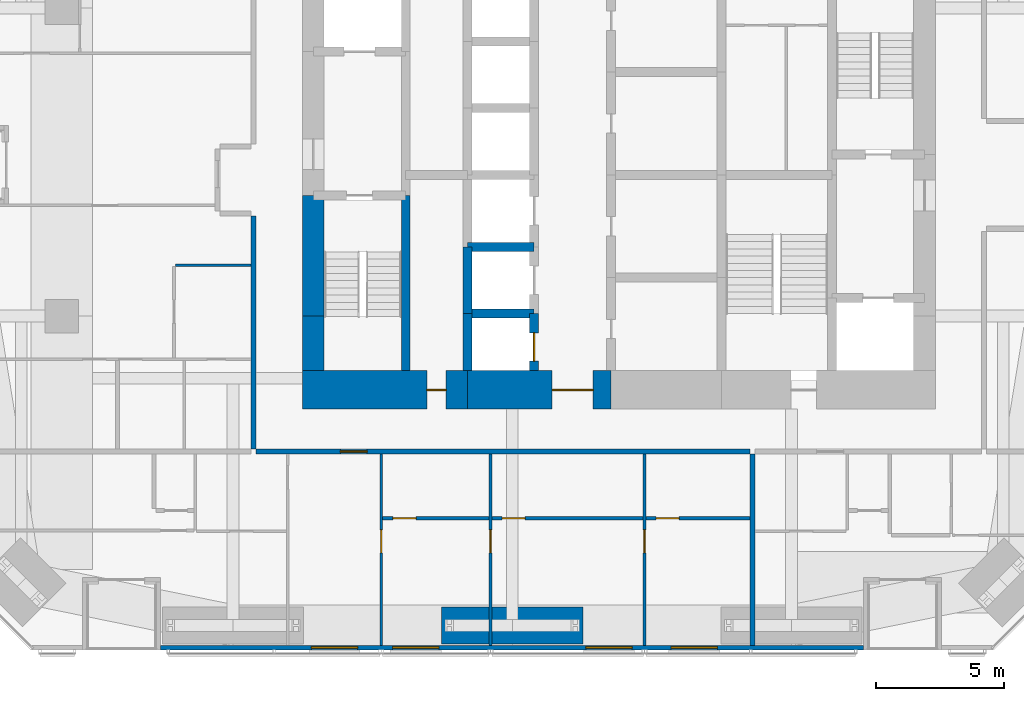
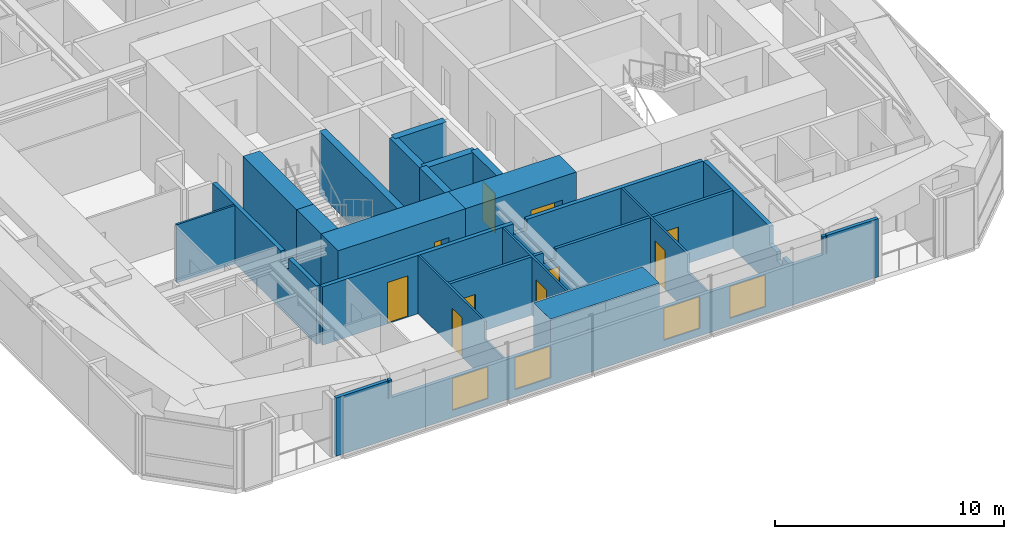
# One storey, part 17 of 23: 22 walls, 10 doors, 4 windows, 14 openings.
"""IFC4 building model written with IfcOpenShell, lengths in metres."""

import ifcopenshell
import ifcopenshell.guid

model = None  # the IFC model being written
_history = None  # IfcOwnerHistory: only IFC2X3 demands one
_inside = {}  # id of a spatial element -> (the spatial element, [elements in it])
_under = {}  # id of a project, library or spatial element -> (it, [spatial elements below it])
_declared = {}  # id of a project -> (the project, [libraries it declares])
_typed = {}  # id of a type object -> (the type object, [elements of that type])
_made_of = {}  # id of a material, layer set ... -> (it, [elements and type objects made of it])


def new_model(schema):
    """Start an empty IFC model of exactly this schema.

    Asked for "IFC4X3", IfcOpenShell would pick the latest addendum, in which some entities
    have other attributes; the version numbers below select the first issue.
    IFC2X3 requires an IfcOwnerHistory on every rooted entity: one is made here for all.
    """
    global model, _history
    if schema == "IFC4X3":
        model = ifcopenshell.file(schema_version=(4, 3, 0, 0))
    else:
        model = ifcopenshell.file(schema=schema)
    _inside.clear()
    _under.clear()
    _declared.clear()
    _typed.clear()
    _made_of.clear()
    _history = None
    if model.schema == "IFC2X3":
        org = make("IfcOrganization", Name="unknown")
        user = make(
            "IfcPersonAndOrganization",
            ThePerson=make("IfcPerson", FamilyName="unknown"),
            TheOrganization=org,
        )
        app = make(
            "IfcApplication",
            ApplicationDeveloper=org,
            Version="unknown",
            ApplicationFullName="unknown",
            ApplicationIdentifier="unknown",
        )
        _history = make(
            "IfcOwnerHistory",
            OwningUser=user,
            OwningApplication=app,
            ChangeAction="ADDED",
            CreationDate=0,
        )
    return model


def make(cls, **values):
    """One entity of the class cls with the attributes given. An attribute that is None is left unset."""
    return model.create_entity(
        cls, **{name: value for name, value in values.items() if value is not None}
    )


def rooted(cls, **values):
    """An entity with a GlobalId (a new one), such as an element, a storey or a relation."""
    return make(cls, GlobalId=ifcopenshell.guid.new(), OwnerHistory=_history, **values)


def si_unit(unit_type, name, prefix=None):
    """IfcSIUnit, for example si_unit("LENGTHUNIT", "METRE", prefix="MILLI")."""
    return make("IfcSIUnit", UnitType=unit_type, Prefix=prefix, Name=name)


def assignment(units):
    """IfcUnitAssignment: the units of a project."""
    return None if units is None else make("IfcUnitAssignment", Units=units)


def point(xyz):
    """IfcCartesianPoint."""
    return None if xyz is None else make("IfcCartesianPoint", Coordinates=xyz)


def direction(xyz):
    """IfcDirection."""
    return None if xyz is None else make("IfcDirection", DirectionRatios=xyz)


def frame(location, z_axis=None, x_axis=None):
    """IfcAxis2Placement3D, a coordinate frame: its origin and axes. An axis left out is left unset."""
    return make(
        "IfcAxis2Placement3D",
        Location=point(location),
        Axis=direction(z_axis),
        RefDirection=direction(x_axis),
    )


def frame_2d(location, x_axis=None):
    """IfcAxis2Placement2D, a coordinate frame in the plane: its origin and x axis."""
    return make(
        "IfcAxis2Placement2D", Location=point(location), RefDirection=direction(x_axis)
    )


def origin():
    """The frame at (0, 0, 0) with its axes left unset."""
    return frame((0.0, 0.0, 0.0))


def place(relative_to, where):
    """IfcLocalPlacement: puts the frame where relative to a parent placement (None: the world)."""
    return make(
        "IfcLocalPlacement", PlacementRelTo=relative_to, RelativePlacement=where
    )


def context(
    kind, dimensions, precision=None, world=None, true_north=None, identifier=None
):
    """IfcGeometricRepresentationContext, for example the 3D "Model" context."""
    return make(
        "IfcGeometricRepresentationContext",
        ContextIdentifier=identifier,
        ContextType=kind,
        CoordinateSpaceDimension=dimensions,
        Precision=precision,
        WorldCoordinateSystem=world,
        TrueNorth=true_north,
    )


def subcontext(parent, identifier, kind, view, scale=None):
    """IfcGeometricRepresentationSubContext, for example "Body" below "Model"."""
    return make(
        "IfcGeometricRepresentationSubContext",
        ContextIdentifier=identifier,
        ContextType=kind,
        ParentContext=parent,
        TargetScale=scale,
        TargetView=view,
    )


def project(units=None, contexts=None):
    """IfcProject with its units and contexts."""
    return rooted(
        "IfcProject",
        Name="project",
        RepresentationContexts=contexts,
        UnitsInContext=assignment(units),
    )


def spatial(cls, under=None, at=None, **own):
    """A site, building, storey or space (cls), placed at a placement, below another one or the project."""
    s = rooted(cls, ObjectPlacement=at, **own)
    if under is not None:
        _under.setdefault(under.id(), (under, []))[1].append(s)
    return s


def polyline(points):
    """IfcPolyline through the points."""
    return make("IfcPolyline", Points=[point(p) for p in points])


def profile(cls, at=None, kind="AREA", **sizes):
    """A parametric profile (cls). Its sizes go by their IFC names, for example OverallWidth=200.0."""
    return make(cls, ProfileType=kind, Position=at, **sizes)


def rectangle(**sizes):
    """IfcRectangleProfileDef."""
    return profile("IfcRectangleProfileDef", **sizes)


def outline(outer, holes=None, kind="AREA"):
    """IfcArbitraryClosedProfileDef: a profile drawn as a closed curve; with holes, ...WithVoids."""
    if holes is None:
        return make("IfcArbitraryClosedProfileDef", ProfileType=kind, OuterCurve=outer)
    return make(
        "IfcArbitraryProfileDefWithVoids",
        ProfileType=kind,
        OuterCurve=outer,
        InnerCurves=holes,
    )


def extrude(swept, where, along, depth):
    """IfcExtrudedAreaSolid: the profile swept, set in the frame where, extruded along a direction by depth."""
    return make(
        "IfcExtrudedAreaSolid",
        SweptArea=swept,
        Position=where,
        ExtrudedDirection=direction(along),
        Depth=depth,
    )


def shape(context_of_items, identifier, shape_type, items):
    """IfcShapeRepresentation: the items that make up one representation, for example the "Body"."""
    return make(
        "IfcShapeRepresentation",
        ContextOfItems=context_of_items,
        RepresentationIdentifier=identifier,
        RepresentationType=shape_type,
        Items=items,
    )


def material(Name=None, Category=None):
    """IfcMaterial."""
    return make("IfcMaterial", Name=Name, Category=Category)


def layer(
    of_material, thickness, ventilated=None, Name=None, Category=None, Priority=None
):
    """IfcMaterialLayer: one layer of a wall or slab, of a material (None: an air gap)."""
    return make(
        "IfcMaterialLayer",
        Material=of_material,
        LayerThickness=thickness,
        IsVentilated=ventilated,
        Name=Name,
        Category=Category,
        Priority=Priority,
    )


def layer_set(layers, Name=None):
    """IfcMaterialLayerSet."""
    return make("IfcMaterialLayerSet", MaterialLayers=layers, LayerSetName=Name)


def constituent(of_material, Name=None, Category=None, fraction=None):
    """IfcMaterialConstituent: one of the materials an element consists of."""
    return make(
        "IfcMaterialConstituent",
        Name=Name,
        Material=of_material,
        Fraction=fraction,
        Category=Category,
    )


def constituent_set(constituents=None, Name=None):
    """IfcMaterialConstituentSet."""
    return make(
        "IfcMaterialConstituentSet", Name=Name, MaterialConstituents=constituents
    )


def made_of(thing, what):
    """Note that an element or type object is made of a material, layer set ...; save() writes the relation."""
    if what is not None:
        _made_of.setdefault(what.id(), (what, []))[1].append(thing)
    return thing


def type_object(cls, material=None, **own):
    """A type object (cls), such as IfcWallType, which elements share."""
    return made_of(rooted(cls, **own), material)


def element(
    cls,
    number,
    at=None,
    inside=None,
    cuts=None,
    type_object=None,
    material=None,
    context=None,
    identifier="Body",
    shape_type=None,
    held_by="IfcProductDefinitionShape",
    body=None,
    shapes=None,
    **own,
):
    """One element of the class cls, such as IfcWall. Its Tag is "e" and its number.

    at: its placement. inside: the storey or other place that contains it. cuts: it is an
    opening in that element (IfcRelVoidsElement). A single representation is given by context,
    identifier, shape_type and body (its items); several are given by shapes. held_by: the class
    of the entity that holds the representations. save() writes the other relations.
    """
    e = rooted(cls, Tag="e%d" % number, ObjectPlacement=at, **own)
    if body is not None:
        shapes = [shape(context, identifier, shape_type, body)]
    if shapes is not None:
        e.Representation = make(held_by, Representations=shapes)
    if inside is not None:
        _inside.setdefault(inside.id(), (inside, []))[1].append(e)
    if cuts is not None:
        rooted(
            "IfcRelVoidsElement", RelatingBuildingElement=cuts, RelatedOpeningElement=e
        )
    if type_object is not None:
        _typed.setdefault(type_object.id(), (type_object, []))[1].append(e)
    return made_of(e, material)


def fill(opening, filler):
    """IfcRelFillsElement: the door or window that sits in an opening."""
    return rooted(
        "IfcRelFillsElement",
        RelatingOpeningElement=opening,
        RelatedBuildingElement=filler,
    )


def aggregate(whole, parts):
    """IfcRelAggregates: a whole, such as a stair, and the parts it consists of."""
    return rooted("IfcRelAggregates", RelatingObject=whole, RelatedObjects=parts)


def save(model, path):
    """Write the relations noted so far, then the file.

    IfcRelAggregates (storeys below a building ...), IfcRelContainedInSpatialStructure (elements
    in a storey), IfcRelDefinesByType, IfcRelAssociatesMaterial and IfcRelDeclares: one each for
    every whole, place, type object, material and project.
    """
    for whole, parts in _under.values():
        aggregate(whole, parts)
    for where, things in _inside.values():
        rooted(
            "IfcRelContainedInSpatialStructure",
            RelatedElements=things,
            RelatingStructure=where,
        )
    for kind, things in _typed.values():
        rooted("IfcRelDefinesByType", RelatedObjects=things, RelatingType=kind)
    for what, things in _made_of.values():
        rooted("IfcRelAssociatesMaterial", RelatedObjects=things, RelatingMaterial=what)
    for by, libraries in _declared.values():
        rooted("IfcRelDeclares", RelatingContext=by, RelatedDefinitions=libraries)
    model.write(path)


model = new_model("IFC4")

# Units and contexts
model_context = context("Model", 3, precision=1e-05, world=origin(), true_north=direction((0.0, 1.0)))
body_context = subcontext(model_context, "Body", "Model", "MODEL_VIEW")
ifc_project = project(units=[si_unit("LENGTHUNIT", "METRE"), si_unit("AREAUNIT", "SQUARE_METRE"), si_unit("VOLUMEUNIT", "CUBIC_METRE"), si_unit("PLANEANGLEUNIT", "RADIAN"), si_unit("MASSUNIT", "GRAM", prefix="KILO")], contexts=[model_context])

# Site, building, storey
site_placement = place(None, origin())
site = spatial("IfcSite", under=ifc_project, at=site_placement, CompositionType="ELEMENT")
building_placement = place(site_placement, origin())
building = spatial("IfcBuilding", under=site, at=building_placement, Name="Jalousie Tower", CompositionType="ELEMENT")
storey_placement = place(building_placement, frame((0.0, 0.0, 121.60009765625)))
storey = spatial("IfcBuildingStorey", under=building, at=storey_placement, Name="L33", CompositionType="ELEMENT", Elevation=121.60009765625)

# Wall, opening, door
ifc_material_1 = material(Name="Concrete block ASTM C90", Category="concrete")
ifc_constituent_1 = constituent(ifc_material_1, Name="Body")
ifc_material_2 = material(Name="Render")
ifc_constituent_2 = constituent(ifc_material_2, Name="Finish")
ifc_constituent_set_1 = constituent_set(constituents=[ifc_constituent_1, ifc_constituent_2])
wall_type_1 = type_object("IfcWallType", Name="BATHROOM WALL 150", PredefinedType="PLUMBINGWALL", material=ifc_constituent_set_1)
wall_1_placement = place(storey_placement, frame((22.699951171875, 5.125, 0.0), z_axis=(0.0, 0.0, 1.0), x_axis=(1.0, 0.0, 0.0)))
wall_1 = element("IfcWall", 1, at=wall_1_placement, inside=storey, type_object=wall_type_1, Name="Bathroom Wall 150 L33", PredefinedType="PLUMBINGWALL", context=body_context, shape_type="SweptSolid", body=[
    extrude(rectangle(XDim=4.150146484375, YDim=0.14990234375, at=frame_2d((2.0751953125, 0.0))), origin(), (0.0, 0.0, 1.0), 3.10986328125),
])
opening_1_placement = place(wall_1_placement, frame((0.39990234375, 0.0, 0.0)))
opening_1 = element("IfcOpeningElement", 2, at=opening_1_placement, cuts=wall_1, Name="Opening D3", PredefinedType="OPENING", context=body_context, shape_type="SweptSolid", body=[
    extrude(rectangle(XDim=0.89990234375, YDim=2.10009765625, at=frame_2d((0.449951171875, 1.050048828125))), frame((0.0, 0.0849609375, 0.0), z_axis=(0.0, -1.0, 0.0), x_axis=(1.0, 0.0, 0.0)), (0.0, 0.0, 1.0), 0.169921875),
])
ifc_material_3 = material(Name="Timber door", Category="wood")
door_type_1 = type_object("IfcDoorType", Name="BATHROOM DOOR 900", OperationType="SINGLE_SWING_LEFT", PredefinedType="DOOR", material=ifc_material_3)
door_1_placement = place(opening_1_placement, origin())
door_1 = element("IfcDoor", 3, at=door_1_placement, inside=storey, type_object=door_type_1, Name="Apartment 3301 bedroom 1 bathroom door", OperationType="SINGLE_SWING_LEFT", OverallHeight=2.10009765625, OverallWidth=0.89990234375, PredefinedType="DOOR", context=body_context, shape_type="SweptSolid", body=[
    extrude(rectangle(XDim=0.89990234375, YDim=2.10009765625, at=frame_2d((0.449951171875, 1.050048828125))), frame((0.0, 0.02490234375, 0.0), z_axis=(0.0, -1.0, 0.0), x_axis=(1.0, 0.0, 0.0)), (0.0, 0.0, 1.0), 0.050048828125),
])
fill(opening_1, door_1)

wall_2_placement = place(storey_placement, frame((26.949951171875, 5.125, 0.0), z_axis=(0.0, 0.0, 1.0), x_axis=(1.0, 0.0, 0.0)))
wall_2 = element("IfcWall", 4, at=wall_2_placement, inside=storey, type_object=wall_type_1, Name="Bathroom Wall 150 L33", PredefinedType="PLUMBINGWALL", context=body_context, shape_type="SweptSolid", body=[
    extrude(outline(polyline([(0.0, 0.0), (5.900146484375, 0.0), (5.89990234375, 3.10986328125), (1.1123046875, 3.10986328125), (1.1123046875, 2.541015625), (0.487548828125, 2.541015625), (0.487548828125, 3.10986328125), (0.0, 3.10986328125), (0.0, 0.0)])), frame((0.0, 0.074951171875, 0.0), z_axis=(0.0, -1.0, 0.0), x_axis=(1.0, 0.0, 0.0)), (0.0, 0.0, 1.0), 0.14990234375),
])
opening_2_placement = place(wall_2_placement, frame((0.39990234375, 0.0, 0.0)))
opening_2 = element("IfcOpeningElement", 5, at=opening_2_placement, cuts=wall_2, Name="Opening D3", PredefinedType="OPENING", context=body_context, shape_type="SweptSolid", body=[
    extrude(rectangle(XDim=0.89990234375, YDim=2.10009765625, at=frame_2d((0.449951171875, 1.050048828125))), frame((0.0, 0.0849609375, 0.0), z_axis=(0.0, -1.0, 0.0), x_axis=(1.0, 0.0, 0.0)), (0.0, 0.0, 1.0), 0.169921875),
])
door_2_placement = place(opening_2_placement, origin())
door_2 = element("IfcDoor", 6, at=door_2_placement, inside=storey, type_object=door_type_1, Name="Apartment 3301 bedroom 2 bathroom door", OperationType="SINGLE_SWING_LEFT", OverallHeight=2.10009765625, OverallWidth=0.89990234375, PredefinedType="DOOR", context=body_context, shape_type="SweptSolid", body=[
    extrude(rectangle(XDim=0.89990234375, YDim=2.10009765625, at=frame_2d((0.449951171875, 1.050048828125))), frame((0.0, 0.02490234375, 0.0), z_axis=(0.0, -1.0, 0.0), x_axis=(1.0, 0.0, 0.0)), (0.0, 0.0, 1.0), 0.050048828125),
])
fill(opening_2, door_2)

wall_3_placement = place(storey_placement, frame((32.949951171875, 5.125, 0.0), z_axis=(0.0, 0.0, 1.0), x_axis=(1.0, 0.0, 0.0)))
wall_3 = element("IfcWall", 7, at=wall_3_placement, inside=storey, type_object=wall_type_1, Name="Bathroom Wall 150 L33", PredefinedType="PLUMBINGWALL", context=body_context, shape_type="SweptSolid", body=[
    extrude(rectangle(XDim=4.050048828125, YDim=0.14990234375, at=frame_2d((2.02490234375, 0.0))), origin(), (0.0, 0.0, 1.0), 3.10986328125),
])
opening_3_placement = place(wall_3_placement, frame((0.39990234375, 0.0, 0.0)))
opening_3 = element("IfcOpeningElement", 8, at=opening_3_placement, cuts=wall_3, Name="Opening D3", PredefinedType="OPENING", context=body_context, shape_type="SweptSolid", body=[
    extrude(rectangle(XDim=0.89990234375, YDim=2.10009765625, at=frame_2d((0.449951171875, 1.050048828125))), frame((0.0, 0.0849609375, 0.0), z_axis=(0.0, -1.0, 0.0), x_axis=(1.0, 0.0, 0.0)), (0.0, 0.0, 1.0), 0.169921875),
])
door_3_placement = place(opening_3_placement, origin())
door_3 = element("IfcDoor", 9, at=door_3_placement, inside=storey, type_object=door_type_1, Name="Apartment 3301 bedroom 3 bathroom door", OperationType="SINGLE_SWING_LEFT", OverallHeight=2.10009765625, OverallWidth=0.89990234375, PredefinedType="DOOR", context=body_context, shape_type="SweptSolid", body=[
    extrude(rectangle(XDim=0.89990234375, YDim=2.10009765625, at=frame_2d((0.449951171875, 1.050048828125))), frame((0.0, 0.02490234375, 0.0), z_axis=(0.0, -1.0, 0.0), x_axis=(1.0, 0.0, 0.0)), (0.0, 0.0, 1.0), 0.050048828125),
])
fill(opening_3, door_3)

ifc_material_4 = material(Name="Concrete f'c 120 MPa", Category="concrete")
ifc_layer_1 = layer(ifc_material_4, 1.5)
ifc_layer_set_1 = layer_set([ifc_layer_1], Name="Concrete f'c 120 MPa")
wall_type_2 = type_object("IfcWallType", Name="CORE WALL 1500", PredefinedType="SHEAR", material=ifc_layer_set_1)
wall_4_placement = place(storey_placement, frame((19.574951171875, 10.125, 0.0), z_axis=(0.0, 0.0, 1.0), x_axis=(1.0, 0.0, 0.0)))
wall_4 = element("IfcWall", 10, at=wall_4_placement, inside=storey, type_object=wall_type_2, Name="Core wall SA L33", PredefinedType="SHEAR", context=body_context, shape_type="SweptSolid", body=[
    extrude(rectangle(XDim=6.425048828125, YDim=1.5, at=frame_2d((3.21240234375, 0.0))), origin(), (0.0, 0.0, 1.0), 3.349853515625),
])
opening_4_placement = place(wall_4_placement, frame((4.85009765625, 0.0, 0.0)))
opening_4 = element("IfcOpeningElement", 11, at=opening_4_placement, cuts=wall_4, Name="Opening D16", PredefinedType="OPENING", context=body_context, shape_type="SweptSolid", body=[
    extrude(rectangle(XDim=0.75, YDim=2.10009765625, at=frame_2d((0.375, 1.050048828125))), frame((0.0, 0.760009765625, 0.0), z_axis=(0.0, -1.0, 0.0), x_axis=(1.0, 0.0, 0.0)), (0.0, 0.0, 1.0), 1.52001953125),
])
ifc_material_5 = material(Name="Steel fire door", Category="steel")
door_type_2 = type_object("IfcDoorType", Name="RISER DOOR 750", OperationType="SINGLE_SWING_LEFT", PredefinedType="DOOR", material=ifc_material_5)
door_4_placement = place(opening_4_placement, origin())
door_4 = element("IfcDoor", 12, at=door_4_placement, inside=storey, type_object=door_type_2, Name="South riser door", OperationType="SINGLE_SWING_LEFT", OverallHeight=2.10009765625, OverallWidth=0.75, PredefinedType="DOOR", context=body_context, shape_type="SweptSolid", body=[
    extrude(rectangle(XDim=0.75, YDim=2.10009765625, at=frame_2d((0.375, 1.050048828125))), frame((0.0, 0.02490234375, 0.0), z_axis=(0.0, -1.0, 0.0), x_axis=(1.0, 0.0, 0.0)), (0.0, 0.0, 1.0), 0.050048828125),
])
fill(opening_4, door_4)

wall_5_placement = place(storey_placement, frame((26.0, 10.125, 0.0), z_axis=(0.0, 0.0, 1.0), x_axis=(1.0, 0.0, 0.0)))
wall_5 = element("IfcWall", 13, at=wall_5_placement, inside=storey, type_object=wall_type_2, Name="Core wall SB L33", PredefinedType="SHEAR", context=body_context, shape_type="SweptSolid", body=[
    extrude(rectangle(XDim=5.60009765625, YDim=1.5, at=frame_2d((2.800048828125, 0.0))), origin(), (0.0, 0.0, 1.0), 3.349853515625),
])
opening_5_placement = place(wall_5_placement, frame((3.300048828125, 0.0, 0.0)))
opening_5 = element("IfcOpeningElement", 14, at=opening_5_placement, cuts=wall_5, Name="Opening D15", PredefinedType="OPENING", context=body_context, shape_type="SweptSolid", body=[
    extrude(rectangle(XDim=1.60009765625, YDim=2.10009765625, at=frame_2d((0.800048828125, 1.050048828125))), frame((0.0, 0.760009765625, 0.0), z_axis=(0.0, -1.0, 0.0), x_axis=(1.0, 0.0, 0.0)), (0.0, 0.0, 1.0), 1.52001953125),
])
ifc_material_6 = material(Name="Steel fire door", Category="steel")
door_type_3 = type_object("IfcDoorType", Name="LIFT LOBBY DOOR 1600", OperationType="DOUBLE_DOOR_SINGLE_SWING", PredefinedType="DOOR", material=ifc_material_6)
door_5_placement = place(opening_5_placement, origin())
door_5 = element("IfcDoor", 15, at=door_5_placement, inside=storey, type_object=door_type_3, Name="Lift lobby south door", OperationType="DOUBLE_DOOR_SINGLE_SWING", OverallHeight=2.10009765625, OverallWidth=1.60009765625, PredefinedType="DOOR", context=body_context, shape_type="SweptSolid", body=[
    extrude(rectangle(XDim=1.60009765625, YDim=2.10009765625, at=frame_2d((0.800048828125, 1.050048828125))), frame((0.0, 0.02490234375, 0.0), z_axis=(0.0, -1.0, 0.0), x_axis=(1.0, 0.0, 0.0)), (0.0, 0.0, 1.0), 0.050048828125),
])
fill(opening_5, door_5)

# Walls
ifc_material_7 = material(Name="Concrete f'c 120 MPa", Category="concrete")
ifc_layer_2 = layer(ifc_material_7, 0.35009765625)
ifc_layer_set_2 = layer_set([ifc_layer_2], Name="Concrete f'c 120 MPa")
wall_type_3 = type_object("IfcWallType", Name="CORE WALL 350", PredefinedType="SHEAR", material=ifc_layer_set_2)
wall_6_placement = place(storey_placement, frame((23.60009765625, 10.875, 0.0), z_axis=(0.0, 0.0, 1.0), x_axis=(0.0, 1.0, 0.0)))
element("IfcWall", 16, at=wall_6_placement, inside=storey, type_object=wall_type_3, Name="Core wall X23.6A L33", PredefinedType="SHEAR", context=body_context, shape_type="SweptSolid", body=[
    extrude(rectangle(XDim=6.824951171875, YDim=0.35009765625, at=frame_2d((3.41259765625, 0.0))), origin(), (0.0, 0.0, 1.0), 3.349853515625),
])
wall_7_placement = place(storey_placement, frame((26.0, 10.875, 0.0), z_axis=(0.0, 0.0, 1.0), x_axis=(0.0, 1.0, 0.0)))
element("IfcWall", 17, at=wall_7_placement, inside=storey, type_object=wall_type_3, Name="Core wall X26A L33", PredefinedType="SHEAR", context=body_context, shape_type="SweptSolid", body=[
    extrude(rectangle(XDim=2.22509765625, YDim=0.35009765625, at=frame_2d((1.112548828125, 0.0))), origin(), (0.0, 0.0, 1.0), 3.349853515625),
])
wall_8_placement = place(storey_placement, frame((26.0, 13.10009765625, 0.0), z_axis=(0.0, 0.0, 1.0), x_axis=(0.0, 1.0, 0.0)))
element("IfcWall", 18, at=wall_8_placement, inside=storey, type_object=wall_type_3, Name="Core wall X26B L33", PredefinedType="SHEAR", context=body_context, shape_type="SweptSolid", body=[
    extrude(rectangle(XDim=2.599853515625, YDim=0.35009765625, at=frame_2d((1.2998046875, 0.0))), origin(), (0.0, 0.0, 1.0), 3.349853515625),
])

# Wall, opening, door
wall_9_placement = place(storey_placement, frame((28.60009765625, 10.875, 0.0), z_axis=(0.0, 0.0, 1.0), x_axis=(0.0, 1.0, 0.0)))
wall_9 = element("IfcWall", 19, at=wall_9_placement, inside=storey, type_object=wall_type_3, Name="Core wall X28.6A L33", PredefinedType="SHEAR", context=body_context, shape_type="SweptSolid", body=[
    extrude(rectangle(XDim=2.22509765625, YDim=0.35009765625, at=frame_2d((1.112548828125, 0.0))), origin(), (0.0, 0.0, 1.0), 3.349853515625),
])
opening_6_placement = place(wall_9_placement, frame((0.375, 0.0, 0.0)))
opening_6 = element("IfcOpeningElement", 20, at=opening_6_placement, cuts=wall_9, Name="Opening LD1", PredefinedType="OPENING", context=body_context, shape_type="SweptSolid", body=[
    extrude(rectangle(XDim=1.10009765625, YDim=2.10009765625, at=frame_2d((0.550048828125, 1.050048828125))), frame((0.0, 0.18505859375, 0.0), z_axis=(0.0, -1.0, 0.0), x_axis=(1.0, 0.0, 0.0)), (0.0, 0.0, 1.0), 0.3701171875),
])
ifc_material_8 = material(Name="Steel lift landing door", Category="steel")
door_type_4 = type_object("IfcDoorType", Name="LIFT LANDING DOOR 1100", OperationType="SLIDING_TO_LEFT", PredefinedType="DOOR", material=ifc_material_8)
door_6_placement = place(opening_6_placement, origin())
door_6 = element("IfcDoor", 21, at=door_6_placement, inside=storey, type_object=door_type_4, Name="Lift P1 landing door", OperationType="SLIDING_TO_LEFT", OverallHeight=2.10009765625, OverallWidth=1.10009765625, PredefinedType="DOOR", context=body_context, shape_type="SweptSolid", body=[
    extrude(rectangle(XDim=1.10009765625, YDim=2.10009765625, at=frame_2d((0.550048828125, 1.050048828125))), frame((0.0, 0.02490234375, 0.0), z_axis=(0.0, -1.0, 0.0), x_axis=(1.0, 0.0, 0.0)), (0.0, 0.0, 1.0), 0.050048828125),
])
fill(opening_6, door_6)

# Walls
for number, where, z_axis, x_axis, name in (
    (22, (26.0, 13.10009765625, 0.0), (0.0, 0.0, 1.0), (1.0, 0.0, 0.0), "Core wall Y26-13.1 L33"),
    (23, (26.0, 15.699951171875, 0.0), (0.0, 0.0, 1.0), (1.0, 0.0, 0.0), "Core wall Y26-15.7 L33"),
):
    element("IfcWall", number, at=place(storey_placement, frame(where, z_axis=z_axis, x_axis=x_axis)), inside=storey, type_object=wall_type_3, Name=name, PredefinedType="SHEAR", context=body_context, shape_type="SweptSolid", body=[
        extrude(rectangle(XDim=2.60009765625, YDim=0.35009765625, at=frame_2d((1.300048828125, 0.0))), origin(), (0.0, 0.0, 1.0), 3.349853515625),
    ])
ifc_material_9 = material(Name="Concrete f'c 120 MPa", Category="concrete")
ifc_layer_3 = layer(ifc_material_9, 0.85009765625)
ifc_layer_set_3 = layer_set([ifc_layer_3], Name="Concrete f'c 120 MPa")
wall_type_4 = type_object("IfcWallType", Name="CORE WALL 850", PredefinedType="SHEAR", material=ifc_layer_set_3)
wall_10_placement = place(storey_placement, frame((20.0, 17.699951171875, 0.0), z_axis=(0.0, 0.0, 1.0), x_axis=(0.0, -1.0, 0.0)))
element("IfcWall", 24, at=wall_10_placement, inside=storey, type_object=wall_type_4, Name="Core wall WC L33", PredefinedType="SHEAR", context=body_context, shape_type="SweptSolid", body=[
    extrude(rectangle(XDim=4.699951171875, YDim=0.85009765625, at=frame_2d((2.35009765625, 0.0))), origin(), (0.0, 0.0, 1.0), 3.349853515625),
])
wall_11_placement = place(storey_placement, frame((20.0, 13.0, 0.0), z_axis=(0.0, 0.0, 1.0), x_axis=(0.0, -1.0, 0.0)))
element("IfcWall", 25, at=wall_11_placement, inside=storey, type_object=wall_type_4, Name="Core wall WD L33", PredefinedType="SHEAR", context=body_context, shape_type="SweptSolid", body=[
    extrude(rectangle(XDim=2.125, YDim=0.85009765625, at=frame_2d((1.0625, 0.0))), origin(), (0.0, 0.0, 1.0), 3.349853515625),
])

# Wall, opening, door
ifc_material_10 = material(Name="Concrete block ASTM C90", Category="concrete")
ifc_constituent_3 = constituent(ifc_material_10, Name="Body")
ifc_material_11 = material(Name="Render")
ifc_constituent_4 = constituent(ifc_material_11, Name="Finish")
ifc_constituent_set_2 = constituent_set(constituents=[ifc_constituent_3, ifc_constituent_4])
wall_type_5 = type_object("IfcWallType", Name="CORRIDOR WALL 200", PredefinedType="PARTITIONING", material=ifc_constituent_set_2)
wall_12_placement = place(storey_placement, frame((17.77490234375, 7.72509765625, 0.0), z_axis=(0.0, 0.0, 1.0), x_axis=(1.0, 0.0, 0.0)))
wall_12 = element("IfcWall", 26, at=wall_12_placement, inside=storey, type_object=wall_type_5, Name="Corridor Wall 200 L33", PredefinedType="PARTITIONING", context=body_context, shape_type="SweptSolid", body=[
    extrude(outline(polyline([(0.0, 0.0), (19.22509765625, 0.0), (19.22509765625, 3.10986328125), (10.312255859375, 3.10986328125), (10.312255859375, 2.541015625), (9.6376953125, 2.541015625), (9.6376953125, 3.10986328125), (0.0, 3.10986328125), (0.0, 0.0)])), frame((0.0, 0.10009765625, 0.0), z_axis=(0.0, -1.0, 0.0), x_axis=(1.0, 0.0, 0.0)), (0.0, 0.0, 1.0), 0.199951171875),
])
opening_7_placement = place(wall_12_placement, frame((3.27490234375, 0.0, 0.0)))
opening_7 = element("IfcOpeningElement", 27, at=opening_7_placement, cuts=wall_12, Name="Opening D1", PredefinedType="OPENING", context=body_context, shape_type="SweptSolid", body=[
    extrude(rectangle(XDim=1.050048828125, YDim=2.199951171875, at=frame_2d((0.52490234375, 1.10009765625))), frame((0.0, 0.10986328125, 0.0), z_axis=(0.0, -1.0, 0.0), x_axis=(1.0, 0.0, 0.0)), (0.0, 0.0, 1.0), 0.219970703125),
])
ifc_material_12 = material(Name="Timber fire door", Category="wood")
door_type_5 = type_object("IfcDoorType", Name="APARTMENT ENTRANCE DOOR 1050", OperationType="SINGLE_SWING_LEFT", PredefinedType="DOOR", material=ifc_material_12)
door_7_placement = place(opening_7_placement, frame((1.050048828125, 0.0, 0.0), z_axis=(0.0, 0.0, 1.0), x_axis=(-1.0, 0.0, 0.0)))
door_7 = element("IfcDoor", 28, at=door_7_placement, inside=storey, type_object=door_type_5, Name="Apartment 3301 entrance", OperationType="SINGLE_SWING_LEFT", OverallHeight=2.199951171875, OverallWidth=1.050048828125, PredefinedType="DOOR", context=body_context, shape_type="SweptSolid", body=[
    extrude(rectangle(XDim=1.050048828125, YDim=2.199951171875, at=frame_2d((0.52490234375, 1.10009765625))), frame((0.0, 0.02490234375, 0.0), z_axis=(0.0, -1.0, 0.0), x_axis=(1.0, 0.0, 0.0)), (0.0, 0.0, 1.0), 0.050048828125),
])
fill(opening_7, door_7)

# Wall
wall_13_placement = place(storey_placement, frame((17.675048828125, 7.824951171875, 0.0), z_axis=(0.0, 0.0, 1.0), x_axis=(0.0, 1.0, 0.0)))
element("IfcWall", 29, at=wall_13_placement, inside=storey, type_object=wall_type_5, Name="Corridor Wall 200 L33", PredefinedType="PARTITIONING", context=body_context, shape_type="SweptSolid", body=[
    extrude(outline(polyline([(0.0, 0.0), (9.074951171875, 0.0), (9.074951171875, 3.10986328125), (3.08740234375, 3.10986328125), (3.08740234375, 2.541015625), (2.41259765625, 2.541015625), (2.41259765625, 3.10986328125), (0.0, 3.10986328125), (0.0, 0.0)])), frame((0.0, 0.10009765625, 0.0), z_axis=(0.0, -1.0, 0.0), x_axis=(1.0, 0.0, 0.0)), (0.0, 0.0, 1.0), 0.199951171875),
])

# Wall, openings, windows
ifc_material_13 = material(Name="Concrete f'c 40 MPa", Category="concrete")
ifc_constituent_5 = constituent(ifc_material_13, Name="Body")
ifc_material_14 = material(Name="Render, pastel sea green")
ifc_constituent_6 = constituent(ifc_material_14, Name="Finish")
ifc_constituent_set_3 = constituent_set(constituents=[ifc_constituent_5, ifc_constituent_6])
wall_type_6 = type_object("IfcWallType", Name="EXTERNAL WALL 175 SEA GREEN RENDER", PredefinedType="SOLIDWALL", material=ifc_constituent_set_3)
wall_14_placement = place(storey_placement, frame((14.05126953125, 0.08740234375, 0.0), z_axis=(0.0, 0.0, 1.0), x_axis=(1.0, 0.0, 0.0)))
wall_14 = element("IfcWall", 30, at=wall_14_placement, inside=storey, type_object=wall_type_6, Name="External Wall 175 Sea Green Render L33", PredefinedType="SOLIDWALL", context=body_context, shape_type="SweptSolid", body=[
    extrude(outline(polyline([(0.0, 0.0), (27.373779296875, 0.0), (27.373779296875, 3.10986328125), (24.777099609375, 3.10986328125), (24.777099609375, 2.14990234375), (24.731689453125, 2.14990234375), (24.731689453125, 3.10986328125), (24.57373046875, 3.10986328125), (24.57373046875, 2.14990234375), (2.82373046875, 2.14990234375), (2.82373046875, 3.10986328125), (2.66552734375, 3.10986328125), (2.66552734375, 2.14990234375), (2.620361328125, 2.14990234375), (2.620361328125, 3.10986328125), (0.0, 3.10986328125), (0.0, 0.0)])), frame((0.0, 0.08740234375, 0.0), z_axis=(0.0, -1.0, 0.0), x_axis=(1.0, 0.0, 0.0)), (0.0, 0.0, 1.0), 0.175048828125),
])
opening_8_placement = place(wall_14_placement, frame((5.873779296875, 0.0, 0.39990234375)))
opening_8 = element("IfcOpeningElement", 31, at=opening_8_placement, cuts=wall_14, Name="Opening W-BED170", PredefinedType="OPENING", context=body_context, shape_type="SweptSolid", body=[
    extrude(rectangle(XDim=1.800048828125, YDim=1.699951171875, at=frame_2d((0.89990234375, 0.85009765625))), frame((0.0, 0.097412109375, 0.0), z_axis=(0.0, -1.0, 0.0), x_axis=(1.0, 0.0, 0.0)), (0.0, 0.0, 1.0), 0.195068359375),
])
opening_9_placement = place(wall_14_placement, frame((9.0400390625, 0.0, 0.39990234375)))
opening_9 = element("IfcOpeningElement", 32, at=opening_9_placement, cuts=wall_14, Name="Opening W-BED170", PredefinedType="OPENING", context=body_context, shape_type="SweptSolid", body=[
    extrude(rectangle(XDim=1.800048828125, YDim=1.699951171875, at=frame_2d((0.89990234375, 0.85009765625))), frame((0.0, 0.097412109375, 0.0), z_axis=(0.0, -1.0, 0.0), x_axis=(1.0, 0.0, 0.0)), (0.0, 0.0, 1.0), 0.195068359375),
])
opening_10_placement = place(wall_14_placement, frame((16.563720703125, 0.0, 0.39990234375)))
opening_10 = element("IfcOpeningElement", 33, at=opening_10_placement, cuts=wall_14, Name="Opening W-BED170", PredefinedType="OPENING", context=body_context, shape_type="SweptSolid", body=[
    extrude(rectangle(XDim=1.800048828125, YDim=1.699951171875, at=frame_2d((0.89990234375, 0.85009765625))), frame((0.0, 0.097412109375, 0.0), z_axis=(0.0, -1.0, 0.0), x_axis=(1.0, 0.0, 0.0)), (0.0, 0.0, 1.0), 0.195068359375),
])
opening_11_placement = place(wall_14_placement, frame((19.888671875, 0.0, 0.39990234375)))
opening_11 = element("IfcOpeningElement", 34, at=opening_11_placement, cuts=wall_14, Name="Opening W-BED170", PredefinedType="OPENING", context=body_context, shape_type="SweptSolid", body=[
    extrude(rectangle(XDim=1.800048828125, YDim=1.699951171875, at=frame_2d((0.89990234375, 0.85009765625))), frame((0.0, 0.097412109375, 0.0), z_axis=(0.0, -1.0, 0.0), x_axis=(1.0, 0.0, 0.0)), (0.0, 0.0, 1.0), 0.195068359375),
])
ifc_material_15 = material(Name="Aluminium frame, impact-rated glazing", Category="aluminium")
window_type = type_object("IfcWindowType", Name="WINDOW BED 1800x1700", PartitioningType="SINGLE_PANEL", PredefinedType="WINDOW", material=ifc_material_15)
window_1_placement = place(opening_8_placement, origin())
window_1 = element("IfcWindow", 35, at=window_1_placement, inside=storey, type_object=window_type, Name="Apartment 3301 study window", OverallHeight=1.699951171875, OverallWidth=1.800048828125, PartitioningType="SINGLE_PANEL", PredefinedType="WINDOW", context=body_context, shape_type="SweptSolid", body=[
    extrude(rectangle(XDim=1.800048828125, YDim=1.699951171875, at=frame_2d((0.89990234375, 0.85009765625))), frame((0.0, 0.030029296875, 0.0), z_axis=(0.0, -1.0, 0.0), x_axis=(1.0, 0.0, 0.0)), (0.0, 0.0, 1.0), 0.06005859375),
])
fill(opening_8, window_1)
window_2_placement = place(opening_9_placement, origin())
window_2 = element("IfcWindow", 36, at=window_2_placement, inside=storey, type_object=window_type, Name="Apartment 3301 bedroom 1 window", OverallHeight=1.699951171875, OverallWidth=1.800048828125, PartitioningType="SINGLE_PANEL", PredefinedType="WINDOW", context=body_context, shape_type="SweptSolid", body=[
    extrude(rectangle(XDim=1.800048828125, YDim=1.699951171875, at=frame_2d((0.89990234375, 0.85009765625))), frame((0.0, 0.030029296875, 0.0), z_axis=(0.0, -1.0, 0.0), x_axis=(1.0, 0.0, 0.0)), (0.0, 0.0, 1.0), 0.06005859375),
])
fill(opening_9, window_2)
window_3_placement = place(opening_10_placement, origin())
window_3 = element("IfcWindow", 37, at=window_3_placement, inside=storey, type_object=window_type, Name="Apartment 3301 bedroom 2 window", OverallHeight=1.699951171875, OverallWidth=1.800048828125, PartitioningType="SINGLE_PANEL", PredefinedType="WINDOW", context=body_context, shape_type="SweptSolid", body=[
    extrude(rectangle(XDim=1.800048828125, YDim=1.699951171875, at=frame_2d((0.89990234375, 0.85009765625))), frame((0.0, 0.030029296875, 0.0), z_axis=(0.0, -1.0, 0.0), x_axis=(1.0, 0.0, 0.0)), (0.0, 0.0, 1.0), 0.06005859375),
])
fill(opening_10, window_3)
window_4_placement = place(opening_11_placement, origin())
window_4 = element("IfcWindow", 38, at=window_4_placement, inside=storey, type_object=window_type, Name="Apartment 3301 bedroom 3 window", OverallHeight=1.699951171875, OverallWidth=1.800048828125, PartitioningType="SINGLE_PANEL", PredefinedType="WINDOW", context=body_context, shape_type="SweptSolid", body=[
    extrude(rectangle(XDim=1.800048828125, YDim=1.699951171875, at=frame_2d((0.89990234375, 0.85009765625))), frame((0.0, 0.030029296875, 0.0), z_axis=(0.0, -1.0, 0.0), x_axis=(1.0, 0.0, 0.0)), (0.0, 0.0, 1.0), 0.06005859375),
])
fill(opening_11, window_4)

# Wall, opening, door
ifc_material_16 = material(Name="Gypsum board", Category="gypsum")
ifc_constituent_7 = constituent(ifc_material_16, Name="Body")
ifc_material_17 = material(Name="Light-gauge steel studs ASTM A653 SS Grade 33", Category="steel")
ifc_constituent_8 = constituent(ifc_material_17, Name="Framing")
ifc_constituent_set_4 = constituent_set(constituents=[ifc_constituent_7, ifc_constituent_8])
wall_type_7 = type_object("IfcWallType", Name="PARTITION 100", PredefinedType="PARTITIONING", material=ifc_constituent_set_4)
wall_15_placement = place(storey_placement, frame((22.64990234375, 0.175048828125, 0.0), z_axis=(0.0, 0.0, 1.0), x_axis=(0.0, 1.0, 0.0)))
wall_15 = element("IfcWall", 39, at=wall_15_placement, inside=storey, type_object=wall_type_7, Name="Partition 100 L33", PredefinedType="PARTITIONING", context=body_context, shape_type="SweptSolid", body=[
    extrude(outline(polyline([(0.0, 0.0), (7.449951171875, 0.0), (7.449951171875, 3.10986328125), (1.635009765625, 3.10986328125), (1.635009765625, 2.14990234375), (0.0, 2.14990234375), (0.0, 3.10986328125), (0.0, 0.0)])), frame((0.0, 0.050048828125, 0.0), z_axis=(0.0, -1.0, 0.0), x_axis=(1.0, 0.0, 0.0)), (0.0, 0.0, 1.0), 0.10009765625),
])
opening_12_placement = place(wall_15_placement, frame((3.60009765625, 0.0, 0.0)))
opening_12 = element("IfcOpeningElement", 40, at=opening_12_placement, cuts=wall_15, Name="Opening D2", PredefinedType="OPENING", context=body_context, shape_type="SweptSolid", body=[
    extrude(rectangle(XDim=0.89990234375, YDim=2.10009765625, at=frame_2d((0.449951171875, 1.050048828125))), frame((0.0, 0.06005859375, 0.0), z_axis=(0.0, -1.0, 0.0), x_axis=(1.0, 0.0, 0.0)), (0.0, 0.0, 1.0), 0.1201171875),
])
ifc_material_18 = material(Name="Timber door", Category="wood")
door_type_6 = type_object("IfcDoorType", Name="BEDROOM DOOR 900", OperationType="SINGLE_SWING_LEFT", PredefinedType="DOOR", material=ifc_material_18)
door_8_placement = place(opening_12_placement, frame((0.89990234375, 0.0, 0.0), z_axis=(0.0, 0.0, 1.0), x_axis=(-1.0, 0.0, 0.0)))
door_8 = element("IfcDoor", 41, at=door_8_placement, inside=storey, type_object=door_type_6, Name="Apartment 3301 bedroom 1 door", OperationType="SINGLE_SWING_LEFT", OverallHeight=2.10009765625, OverallWidth=0.89990234375, PredefinedType="DOOR", context=body_context, shape_type="SweptSolid", body=[
    extrude(rectangle(XDim=0.89990234375, YDim=2.10009765625, at=frame_2d((0.449951171875, 1.050048828125))), frame((0.0, 0.02490234375, 0.0), z_axis=(0.0, -1.0, 0.0), x_axis=(1.0, 0.0, 0.0)), (0.0, 0.0, 1.0), 0.050048828125),
])
fill(opening_12, door_8)

wall_16_placement = place(storey_placement, frame((26.89990234375, 0.175048828125, 0.0), z_axis=(0.0, 0.0, 1.0), x_axis=(0.0, 1.0, 0.0)))
wall_16 = element("IfcWall", 42, at=wall_16_placement, inside=storey, type_object=wall_type_7, Name="Partition 100 L33", PredefinedType="PARTITIONING", context=body_context, shape_type="SweptSolid", body=[
    extrude(outline(polyline([(0.52880859375, 2.14990234375), (0.0, 2.14990234375), (0.0, 0.0), (0.52880859375, 0.0), (0.52880859375, 0.888671875), (1.021240234375, 0.888671875), (1.021240234375, 0.0), (7.449951171875, 0.0), (7.449951171875, 3.10986328125), (1.635009765625, 3.10986328125), (1.635009765625, 2.14990234375), (1.021240234375, 2.14990234375), (1.021240234375, 1.260986328125), (0.52880859375, 1.260986328125), (0.52880859375, 2.14990234375)])), frame((0.0, 0.050048828125, 0.0), z_axis=(0.0, -1.0, 0.0), x_axis=(1.0, 0.0, 0.0)), (0.0, 0.0, 1.0), 0.10009765625),
])
opening_13_placement = place(wall_16_placement, frame((3.60009765625, 0.0, 0.0)))
opening_13 = element("IfcOpeningElement", 43, at=opening_13_placement, cuts=wall_16, Name="Opening D2", PredefinedType="OPENING", context=body_context, shape_type="SweptSolid", body=[
    extrude(rectangle(XDim=0.89990234375, YDim=2.10009765625, at=frame_2d((0.449951171875, 1.050048828125))), frame((0.0, 0.06005859375, 0.0), z_axis=(0.0, -1.0, 0.0), x_axis=(1.0, 0.0, 0.0)), (0.0, 0.0, 1.0), 0.1201171875),
])
door_9_placement = place(opening_13_placement, frame((0.89990234375, 0.0, 0.0), z_axis=(0.0, 0.0, 1.0), x_axis=(-1.0, 0.0, 0.0)))
door_9 = element("IfcDoor", 44, at=door_9_placement, inside=storey, type_object=door_type_6, Name="Apartment 3301 bedroom 2 door", OperationType="SINGLE_SWING_LEFT", OverallHeight=2.10009765625, OverallWidth=0.89990234375, PredefinedType="DOOR", context=body_context, shape_type="SweptSolid", body=[
    extrude(rectangle(XDim=0.89990234375, YDim=2.10009765625, at=frame_2d((0.449951171875, 1.050048828125))), frame((0.0, 0.02490234375, 0.0), z_axis=(0.0, -1.0, 0.0), x_axis=(1.0, 0.0, 0.0)), (0.0, 0.0, 1.0), 0.050048828125),
])
fill(opening_13, door_9)

wall_17_placement = place(storey_placement, frame((32.89990234375, 0.175048828125, 0.0), z_axis=(0.0, 0.0, 1.0), x_axis=(0.0, 1.0, 0.0)))
wall_17 = element("IfcWall", 45, at=wall_17_placement, inside=storey, type_object=wall_type_7, Name="Partition 100 L33", PredefinedType="PARTITIONING", context=body_context, shape_type="SweptSolid", body=[
    extrude(outline(polyline([(0.0, 0.0), (7.449951171875, 0.0), (7.449951171875, 3.10986328125), (1.635009765625, 3.10986328125), (1.635009765625, 2.14990234375), (0.0, 2.14990234375), (0.0, 3.10986328125), (0.0, 0.0)])), frame((0.0, 0.050048828125, 0.0), z_axis=(0.0, -1.0, 0.0), x_axis=(1.0, 0.0, 0.0)), (0.0, 0.0, 1.0), 0.10009765625),
])
opening_14_placement = place(wall_17_placement, frame((3.60009765625, 0.0, 0.0)))
opening_14 = element("IfcOpeningElement", 46, at=opening_14_placement, cuts=wall_17, Name="Opening D2", PredefinedType="OPENING", context=body_context, shape_type="SweptSolid", body=[
    extrude(rectangle(XDim=0.89990234375, YDim=2.10009765625, at=frame_2d((0.449951171875, 1.050048828125))), frame((0.0, 0.06005859375, 0.0), z_axis=(0.0, -1.0, 0.0), x_axis=(1.0, 0.0, 0.0)), (0.0, 0.0, 1.0), 0.1201171875),
])
door_10_placement = place(opening_14_placement, origin())
door_10 = element("IfcDoor", 47, at=door_10_placement, inside=storey, type_object=door_type_6, Name="Apartment 3301 bedroom 3 door", OperationType="SINGLE_SWING_RIGHT", OverallHeight=2.10009765625, OverallWidth=0.89990234375, PredefinedType="DOOR", context=body_context, shape_type="SweptSolid", body=[
    extrude(rectangle(XDim=0.89990234375, YDim=2.10009765625, at=frame_2d((0.449951171875, 1.050048828125))), frame((0.0, 0.02490234375, 0.0), z_axis=(0.0, -1.0, 0.0), x_axis=(1.0, 0.0, 0.0)), (0.0, 0.0, 1.0), 0.050048828125),
])
fill(opening_14, door_10)

# Walls
wall_18_placement = place(storey_placement, frame((14.625, 14.97509765625, 0.0), z_axis=(0.0, 0.0, 1.0), x_axis=(1.0, 0.0, 0.0)))
element("IfcWall", 48, at=wall_18_placement, inside=storey, type_object=wall_type_7, Name="Partition 100 L33", PredefinedType="PARTITIONING", context=body_context, shape_type="SweptSolid", body=[
    extrude(rectangle(XDim=2.949951171875, YDim=0.10009765625, at=frame_2d((1.47509765625, 0.0))), origin(), (0.0, 0.0, 1.0), 3.10986328125),
])
ifc_material_19 = material(Name="Concrete block ASTM C90", Category="concrete")
ifc_constituent_9 = constituent(ifc_material_19, Name="Body")
ifc_material_20 = material(Name="Render")
ifc_constituent_10 = constituent(ifc_material_20, Name="Finish")
ifc_constituent_set_5 = constituent_set(constituents=[ifc_constituent_9, ifc_constituent_10])
wall_type_8 = type_object("IfcWallType", Name="PARTY WALL 200", PredefinedType="PARTITIONING", material=ifc_constituent_set_5)
wall_19_placement = place(storey_placement, frame((37.10009765625, 0.175048828125, 0.0), z_axis=(0.0, 0.0, 1.0), x_axis=(0.0, 1.0, 0.0)))
element("IfcWall", 49, at=wall_19_placement, inside=storey, type_object=wall_type_8, Name="Party Wall 200 L33", PredefinedType="PARTITIONING", context=body_context, shape_type="SweptSolid", body=[
    extrude(outline(polyline([(0.52880859375, 2.14990234375), (0.0, 2.14990234375), (0.0, 0.0), (0.52880859375, 0.0), (0.52880859375, 0.46142578125), (1.021240234375, 0.46142578125), (1.021240234375, 0.0), (7.449951171875, 0.0), (7.449951171875, 3.10986328125), (1.68505859375, 3.10986328125), (1.68505859375, 2.14990234375), (1.021240234375, 2.14990234375), (1.021240234375, 1.6884765625), (0.52880859375, 1.6884765625), (0.52880859375, 2.14990234375)])), frame((0.0, 0.10009765625, 0.0), z_axis=(0.0, -1.0, 0.0), x_axis=(1.0, 0.0, 0.0)), (0.0, 0.0, 1.0), 0.199951171875),
])
ifc_material_21 = material(Name="Concrete f'c 120 MPa", Category="concrete")
ifc_layer_4 = layer(ifc_material_21, 1.449951171875)
ifc_layer_set_4 = layer_set([ifc_layer_4], Name="Concrete f'c 120 MPa")
wall_type_9 = type_object("IfcWallType", Name="RC WALL PIER 1450", PredefinedType="SHEAR", material=ifc_layer_set_4)
wall_20_placement = place(storey_placement, frame((25.0, 0.949951171875, 0.0), z_axis=(0.0, 0.0, 1.0), x_axis=(1.0, 0.0, 0.0)))
element("IfcWall", 50, at=wall_20_placement, inside=storey, type_object=wall_type_9, Name="Wall pier 03 L33", PredefinedType="SHEAR", context=body_context, shape_type="SweptSolid", body=[
    extrude(rectangle(XDim=5.5, YDim=1.449951171875, at=frame_2d((2.75, 0.0))), origin(), (0.0, 0.0, 1.0), 3.349853515625),
])

save(model, "model.ifc")
